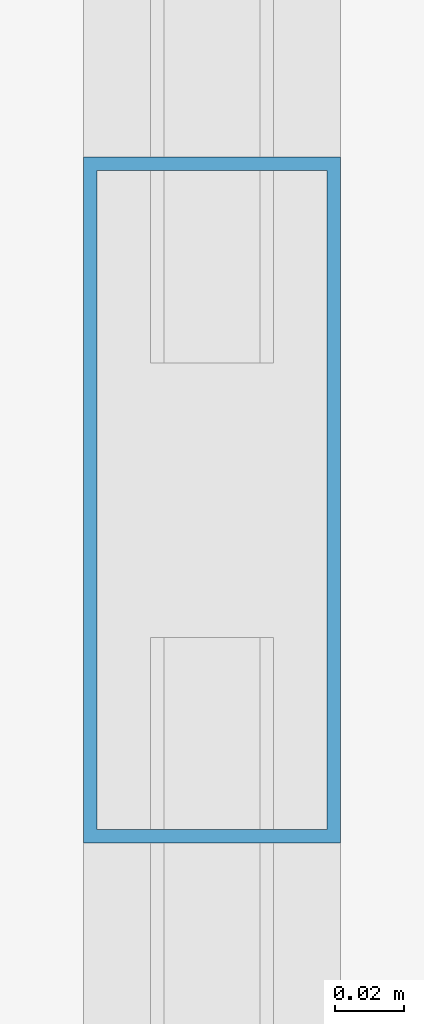
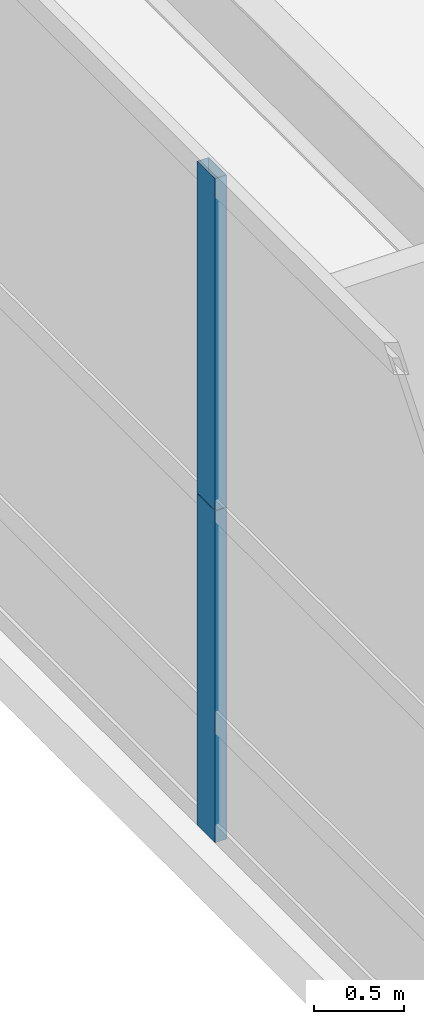
# One storey, part 9 of 39: 2 members, 1 element without a shape of its own.
"""IFC4 building model written with IfcOpenShell, lengths in metres."""

from ifc_helpers import new_model, si_unit, direction, frame, origin, origin_2d, place, context, subcontext, project, spatial, hollow_rectangle, extrude, source, transform, mapped, material, layer, layer_set, material_profile, profile_set, type_object, element, aggregate, save


model = new_model("IFC4")

# Units and contexts
model_context = context("Model", 3, precision=1e-05, world=origin(), true_north=direction((0.0, 1.0)))
body_context = subcontext(model_context, "Body", "Model", "MODEL_VIEW")
ifc_project = project(units=[si_unit("LENGTHUNIT", "METRE"), si_unit("AREAUNIT", "SQUARE_METRE"), si_unit("VOLUMEUNIT", "CUBIC_METRE"), si_unit("PLANEANGLEUNIT", "RADIAN"), si_unit("MASSUNIT", "GRAM", prefix="KILO"), si_unit("THERMODYNAMICTEMPERATUREUNIT", "KELVIN"), si_unit("POWERUNIT", "WATT")], contexts=[model_context])

# Site, building, storey
site_placement = place(None, origin())
site = spatial("IfcSite", under=ifc_project, at=site_placement, CompositionType="ELEMENT")
building_placement = place(site_placement, origin())
building = spatial("IfcBuilding", under=site, at=building_placement, Name="Yuzanri Waterfront Tower", CompositionType="ELEMENT")
storey_placement = place(building_placement, frame((0.0, 0.0, 15.0)))
storey = spatial("IfcBuildingStorey", under=building, at=storey_placement, Name="L04", CompositionType="ELEMENT", Elevation=15.0)

# Curtain wall, members
ifc_material_1 = material(Name="Anodized Architectural Bronze", Category="metal")
ifc_layer = layer(ifc_material_1, 0.159912109375)
ifc_layer_set = layer_set([ifc_layer], Name="Anodized Architectural Bronze")
curtain_wall_type = type_object("IfcCurtainWallType", Name="Anodized Bronze Podium Waterfront Double-Height Unitized Curtain Wall 8400", PredefinedType="NOTDEFINED", material=ifc_layer_set)
curtain_wall_placement = place(storey_placement, origin())
curtain_wall = element("IfcCurtainWall", 1, at=curtain_wall_placement, inside=storey, type_object=curtain_wall_type, Name="L04 Curtain Wall CW-L04-W", PredefinedType="NOTDEFINED")
ifc_material_2 = material(Name="Anodized Architectural Bronze", Category="metal")
ifc_material_profile = material_profile(ifc_material_2, hollow_rectangle(XDim=0.074951171875, YDim=0.199951171875, WallThickness=0.00390625, at=origin_2d()), Name="CWM 75x200")
ifc_profile_set = profile_set([ifc_material_profile], Name="Anodized Architectural Bronze")
member_type = type_object("IfcMemberType", Name="Anodized Bronze Primary Curtain-Wall Mullion 75x200", PredefinedType="MULLION", material=ifc_profile_set)
shared_shape = source(origin(), body_context, "Body", "SweptSolid", [
    extrude(hollow_rectangle(XDim=0.074951171875, YDim=0.199951171875, WallThickness=0.00390625, at=origin_2d()), origin(), (0.0, 0.0, 1.0), 2.258056640625),
])
member_1_placement = place(storey_placement, frame((2.179931640625, 25.800048828125, 0.0), z_axis=(0.0, 0.0, 1.0), x_axis=(1.0, 0.0, 0.0)))
member_1 = element("IfcMember", 2, at=member_1_placement, type_object=member_type, Name="CW-L04-W Lower Mullion 01", PredefinedType="MULLION", context=body_context, shape_type="MappedRepresentation", body=[
    mapped(shared_shape, transform((0.0, 0.0, 0.0), scale=1.0)),
])
member_2_placement = place(storey_placement, frame((2.179931640625, 25.800048828125, 2.261962890625), z_axis=(0.0, 0.0, 1.0), x_axis=(1.0, 0.0, 0.0)))
member_2 = element("IfcMember", 3, at=member_2_placement, type_object=member_type, Name="CW-L04-W Upper Mullion 01", PredefinedType="MULLION", context=body_context, shape_type="MappedRepresentation", body=[
    mapped(shared_shape, transform((0.0, 0.0, 0.0), scale=1.0)),
])
aggregate(curtain_wall, [member_1, member_2])

save(model, "model.ifc")
